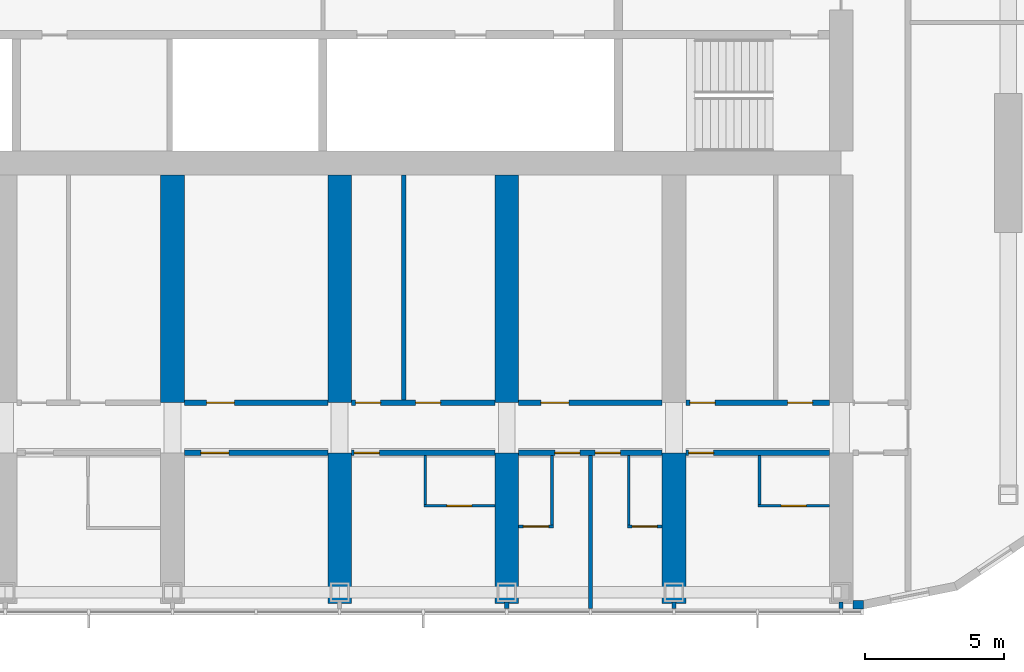
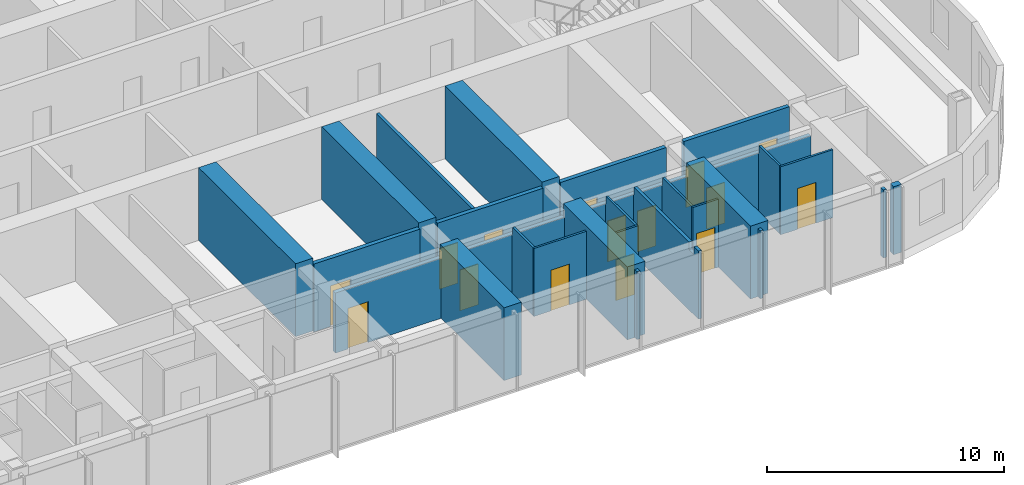
# One storey, part 15 of 28: 28 walls, 15 doors, 15 openings.
"""IFC4 building model written with IfcOpenShell, lengths in metres."""

from ifc_helpers import new_model, si_unit, direction, frame, frame_2d, origin, place, context, subcontext, project, spatial, polyline, rectangle, outline, extrude, material, layer, layer_set, type_object, element, fill, save


model = new_model("IFC4")

# Units and contexts
model_context = context("Model", 3, precision=1e-05, world=origin(), true_north=direction((0.0, 1.0)))
body_context = subcontext(model_context, "Body", "Model", "MODEL_VIEW")
ifc_project = project(units=[si_unit("LENGTHUNIT", "METRE"), si_unit("AREAUNIT", "SQUARE_METRE"), si_unit("VOLUMEUNIT", "CUBIC_METRE"), si_unit("PLANEANGLEUNIT", "RADIAN"), si_unit("MASSUNIT", "GRAM", prefix="KILO")], contexts=[model_context])

# Site, building, storey
site_placement = place(None, origin())
site = spatial("IfcSite", under=ifc_project, at=site_placement, CompositionType="ELEMENT")
building_placement = place(site_placement, origin())
building = spatial("IfcBuilding", under=site, at=building_placement, Name="Orbita Commons", CompositionType="ELEMENT")
storey_placement = place(building_placement, frame((0.0, 0.0, 193.60009765625)))
storey = spatial("IfcBuildingStorey", under=building, at=storey_placement, Name="L48", CompositionType="ELEMENT", Elevation=193.60009765625)

# Wall, opening, door
ifc_material_1 = material(Name="Concrete blockwork", Category="masonry")
ifc_layer_1 = layer(ifc_material_1, 0.199951171875)
ifc_layer_set_1 = layer_set([ifc_layer_1], Name="Concrete blockwork")
wall_type_1 = type_object("IfcWallType", Name="Corridor wall 200 blockwork", PredefinedType="SOLIDWALL", material=ifc_layer_set_1)
wall_1_placement = place(storey_placement, frame((42.425048828125, 15.39990234375, 0.0), z_axis=(0.0, 0.0, 1.0), x_axis=(1.0, 0.0, 0.0)))
wall_1 = element("IfcWall", 1, at=wall_1_placement, inside=storey, type_object=wall_type_1, Name="Corridor wall 200 blockwork L48", PredefinedType="SOLIDWALL", context=body_context, shape_type="SweptSolid", body=[
    extrude(outline(polyline([(0.0, 0.0), (5.14990234375, 0.0), (5.14990234375, 3.099853515625), (0.0, 3.099853515625), (0.0, 0.0)])), frame((0.0, 0.10009765625, 0.0), z_axis=(0.0, -1.0, 0.0), x_axis=(1.0, 0.0, 0.0)), (0.0, 0.0, 1.0), 0.199951171875),
])
opening_1_placement = place(wall_1_placement, frame((0.60009765625, 0.0, 0.0)))
opening_1 = element("IfcOpeningElement", 2, at=opening_1_placement, cuts=wall_1, Name="Opening D06", PredefinedType="OPENING", context=body_context, shape_type="SweptSolid", body=[
    extrude(rectangle(XDim=1.0, YDim=2.10009765625, at=frame_2d((0.5, 1.050048828125))), frame((0.0, 0.10986328125, 0.0), z_axis=(0.0, -1.0, 0.0), x_axis=(1.0, 0.0, 0.0)), (0.0, 0.0, 1.0), 0.219970703125),
])
ifc_material_2 = material(Name="Steel-faced fire door leaf", Category="steel")
door_type_1 = type_object("IfcDoorType", Name="Corridor door 20 min 1000x2100", OperationType="SINGLE_SWING_LEFT", PredefinedType="DOOR", material=ifc_material_2)
door_1_placement = place(opening_1_placement, origin())
door_1 = element("IfcDoor", 3, at=door_1_placement, inside=storey, type_object=door_type_1, Name="Cluster kitchen-diner L48-S08 door", OperationType="SINGLE_SWING_LEFT", OverallHeight=2.10009765625, OverallWidth=1.0, PredefinedType="DOOR", context=body_context, shape_type="SweptSolid", body=[
    extrude(rectangle(XDim=1.0, YDim=2.10009765625, at=frame_2d((0.5, 1.050048828125))), frame((0.0, 0.02490234375, 0.0), z_axis=(0.0, -1.0, 0.0), x_axis=(1.0, 0.0, 0.0)), (0.0, 0.0, 1.0), 0.050048828125),
])
fill(opening_1, door_1)

wall_2_placement = place(storey_placement, frame((48.425048828125, 15.39990234375, 0.0), z_axis=(0.0, 0.0, 1.0), x_axis=(1.0, 0.0, 0.0)))
wall_2 = element("IfcWall", 4, at=wall_2_placement, inside=storey, type_object=wall_type_1, Name="Corridor wall 200 blockwork L48", PredefinedType="SOLIDWALL", context=body_context, shape_type="SweptSolid", body=[
    extrude(outline(polyline([(0.0, 0.0), (5.14990234375, 0.0), (5.14990234375, 3.099853515625), (0.0, 3.099853515625), (0.0, 0.0)])), frame((0.0, 0.10009765625, 0.0), z_axis=(0.0, -1.0, 0.0), x_axis=(1.0, 0.0, 0.0)), (0.0, 0.0, 1.0), 0.199951171875),
])
opening_2_placement = place(wall_2_placement, frame((0.10009765625, 0.0, 0.0)))
opening_2 = element("IfcOpeningElement", 5, at=opening_2_placement, cuts=wall_2, Name="Opening D11", PredefinedType="OPENING", context=body_context, shape_type="SweptSolid", body=[
    extrude(rectangle(XDim=0.89990234375, YDim=2.10009765625, at=frame_2d((0.449951171875, 1.050048828125))), frame((0.0, 0.10986328125, 0.0), z_axis=(0.0, -1.0, 0.0), x_axis=(1.0, 0.0, 0.0)), (0.0, 0.0, 1.0), 0.219970703125),
])
ifc_material_3 = material(Name="Steel-faced fire door leaf", Category="steel")
door_type_2 = type_object("IfcDoorType", Name="Corridor door 20 min 900x2100", OperationType="SINGLE_SWING_LEFT", PredefinedType="DOOR", material=ifc_material_3)
door_2_placement = place(opening_2_placement, origin())
door_2 = element("IfcDoor", 6, at=door_2_placement, inside=storey, type_object=door_type_2, Name="Twin room L48-S10 door", OperationType="SINGLE_SWING_LEFT", OverallHeight=2.10009765625, OverallWidth=0.89990234375, PredefinedType="DOOR", context=body_context, shape_type="SweptSolid", body=[
    extrude(rectangle(XDim=0.89990234375, YDim=2.10009765625, at=frame_2d((0.449951171875, 1.050048828125))), frame((0.0, 0.02490234375, 0.0), z_axis=(0.0, -1.0, 0.0), x_axis=(1.0, 0.0, 0.0)), (0.0, 0.0, 1.0), 0.050048828125),
])
fill(opening_2, door_2)

# Wall, openings, doors
wall_3_placement = place(storey_placement, frame((54.425048828125, 15.39990234375, 0.0), z_axis=(0.0, 0.0, 1.0), x_axis=(1.0, 0.0, 0.0)))
wall_3 = element("IfcWall", 7, at=wall_3_placement, inside=storey, type_object=wall_type_1, Name="Corridor wall 200 blockwork L48", PredefinedType="SOLIDWALL", context=body_context, shape_type="SweptSolid", body=[
    extrude(outline(polyline([(0.0, 0.0), (5.14990234375, 0.0), (5.14990234375, 3.099853515625), (0.0, 3.099853515625), (0.0, 0.0)])), frame((0.0, 0.10009765625, 0.0), z_axis=(0.0, -1.0, 0.0), x_axis=(1.0, 0.0, 0.0)), (0.0, 0.0, 1.0), 0.199951171875),
])
opening_3_placement = place(wall_3_placement, frame((1.300048828125, 0.0, 0.0)))
opening_3 = element("IfcOpeningElement", 8, at=opening_3_placement, cuts=wall_3, Name="Opening D11", PredefinedType="OPENING", context=body_context, shape_type="SweptSolid", body=[
    extrude(rectangle(XDim=0.89990234375, YDim=2.10009765625, at=frame_2d((0.449951171875, 1.050048828125))), frame((0.0, 0.10986328125, 0.0), z_axis=(0.0, -1.0, 0.0), x_axis=(1.0, 0.0, 0.0)), (0.0, 0.0, 1.0), 0.219970703125),
])
opening_4_placement = place(wall_3_placement, frame((2.75, 0.0, 0.0)))
opening_4 = element("IfcOpeningElement", 9, at=opening_4_placement, cuts=wall_3, Name="Opening D11", PredefinedType="OPENING", context=body_context, shape_type="SweptSolid", body=[
    extrude(rectangle(XDim=0.89990234375, YDim=2.10009765625, at=frame_2d((0.449951171875, 1.050048828125))), frame((0.0, 0.10986328125, 0.0), z_axis=(0.0, -1.0, 0.0), x_axis=(1.0, 0.0, 0.0)), (0.0, 0.0, 1.0), 0.219970703125),
])
door_3_placement = place(opening_3_placement, origin())
door_3 = element("IfcDoor", 10, at=door_3_placement, inside=storey, type_object=door_type_2, Name="Cluster bedroom L48-S12 door", OperationType="SINGLE_SWING_LEFT", OverallHeight=2.10009765625, OverallWidth=0.89990234375, PredefinedType="DOOR", context=body_context, shape_type="SweptSolid", body=[
    extrude(rectangle(XDim=0.89990234375, YDim=2.10009765625, at=frame_2d((0.449951171875, 1.050048828125))), frame((0.0, 0.02490234375, 0.0), z_axis=(0.0, -1.0, 0.0), x_axis=(1.0, 0.0, 0.0)), (0.0, 0.0, 1.0), 0.050048828125),
])
fill(opening_3, door_3)
door_4_placement = place(opening_4_placement, origin())
door_4 = element("IfcDoor", 11, at=door_4_placement, inside=storey, type_object=door_type_2, Name="Cluster bedroom L48-S13 door", OperationType="SINGLE_SWING_LEFT", OverallHeight=2.10009765625, OverallWidth=0.89990234375, PredefinedType="DOOR", context=body_context, shape_type="SweptSolid", body=[
    extrude(rectangle(XDim=0.89990234375, YDim=2.10009765625, at=frame_2d((0.449951171875, 1.050048828125))), frame((0.0, 0.02490234375, 0.0), z_axis=(0.0, -1.0, 0.0), x_axis=(1.0, 0.0, 0.0)), (0.0, 0.0, 1.0), 0.050048828125),
])
fill(opening_4, door_4)

# Wall, opening, door
wall_4_placement = place(storey_placement, frame((60.425048828125, 15.39990234375, 0.0), z_axis=(0.0, 0.0, 1.0), x_axis=(1.0, 0.0, 0.0)))
wall_4 = element("IfcWall", 12, at=wall_4_placement, inside=storey, type_object=wall_type_1, Name="Corridor wall 200 blockwork L48", PredefinedType="SOLIDWALL", context=body_context, shape_type="SweptSolid", body=[
    extrude(outline(polyline([(0.0, 0.0), (5.14990234375, 0.0), (5.14990234375, 3.099853515625), (0.0, 3.099853515625), (0.0, 0.0)])), frame((0.0, 0.10009765625, 0.0), z_axis=(0.0, -1.0, 0.0), x_axis=(1.0, 0.0, 0.0)), (0.0, 0.0, 1.0), 0.199951171875),
])
opening_5_placement = place(wall_4_placement, frame((0.10009765625, 0.0, 0.0)))
opening_5 = element("IfcOpeningElement", 13, at=opening_5_placement, cuts=wall_4, Name="Opening D11", PredefinedType="OPENING", context=body_context, shape_type="SweptSolid", body=[
    extrude(rectangle(XDim=0.89990234375, YDim=2.10009765625, at=frame_2d((0.449951171875, 1.050048828125))), frame((0.0, 0.10986328125, 0.0), z_axis=(0.0, -1.0, 0.0), x_axis=(1.0, 0.0, 0.0)), (0.0, 0.0, 1.0), 0.219970703125),
])
door_5_placement = place(opening_5_placement, origin())
door_5 = element("IfcDoor", 14, at=door_5_placement, inside=storey, type_object=door_type_2, Name="Twin room L48-S14 door", OperationType="SINGLE_SWING_LEFT", OverallHeight=2.10009765625, OverallWidth=0.89990234375, PredefinedType="DOOR", context=body_context, shape_type="SweptSolid", body=[
    extrude(rectangle(XDim=0.89990234375, YDim=2.10009765625, at=frame_2d((0.449951171875, 1.050048828125))), frame((0.0, 0.02490234375, 0.0), z_axis=(0.0, -1.0, 0.0), x_axis=(1.0, 0.0, 0.0)), (0.0, 0.0, 1.0), 0.050048828125),
])
fill(opening_5, door_5)

ifc_material_4 = material(Name="Hollow concrete block 200", Category="concrete")
ifc_layer_2 = layer(ifc_material_4, 0.199951171875)
ifc_layer_set_2 = layer_set([ifc_layer_2], Name="Hollow concrete block 200")
wall_type_2 = type_object("IfcWallType", Name="Corridor wall 200 hollow concrete block", PredefinedType="SOLIDWALL", material=ifc_layer_set_2)
wall_5_placement = place(storey_placement, frame((42.425048828125, 17.199951171875, 0.0), z_axis=(0.0, 0.0, 1.0), x_axis=(1.0, 0.0, 0.0)))
wall_5 = element("IfcWall", 15, at=wall_5_placement, inside=storey, type_object=wall_type_2, Name="Corridor wall 200 hollow concrete block L48", PredefinedType="SOLIDWALL", context=body_context, shape_type="SweptSolid", body=[
    extrude(rectangle(XDim=5.14990234375, YDim=0.199951171875, at=frame_2d((2.574951171875, 0.0))), origin(), (0.0, 0.0, 1.0), 3.5),
])
opening_6_placement = place(wall_5_placement, frame((0.800048828125, 0.0, 0.0)))
opening_6 = element("IfcOpeningElement", 16, at=opening_6_placement, cuts=wall_5, Name="Opening D06", PredefinedType="OPENING", context=body_context, shape_type="SweptSolid", body=[
    extrude(rectangle(XDim=1.0, YDim=2.10009765625, at=frame_2d((0.5, 1.050048828125))), frame((0.0, 0.10986328125, 0.0), z_axis=(0.0, -1.0, 0.0), x_axis=(1.0, 0.0, 0.0)), (0.0, 0.0, 1.0), 0.219970703125),
])
door_6_placement = place(opening_6_placement, origin())
door_6 = element("IfcDoor", 17, at=door_6_placement, inside=storey, type_object=door_type_1, Name="Refuse and recycling room L48-BDS42 door", OperationType="SINGLE_SWING_LEFT", OverallHeight=2.10009765625, OverallWidth=1.0, PredefinedType="DOOR", context=body_context, shape_type="SweptSolid", body=[
    extrude(rectangle(XDim=1.0, YDim=2.10009765625, at=frame_2d((0.5, 1.050048828125))), frame((0.0, 0.02490234375, 0.0), z_axis=(0.0, -1.0, 0.0), x_axis=(1.0, 0.0, 0.0)), (0.0, 0.0, 1.0), 0.050048828125),
])
fill(opening_6, door_6)

# Wall, openings, doors
wall_6_placement = place(storey_placement, frame((48.425048828125, 17.199951171875, 0.0), z_axis=(0.0, 0.0, 1.0), x_axis=(1.0, 0.0, 0.0)))
wall_6 = element("IfcWall", 18, at=wall_6_placement, inside=storey, type_object=wall_type_2, Name="Corridor wall 200 hollow concrete block L48", PredefinedType="SOLIDWALL", context=body_context, shape_type="SweptSolid", body=[
    extrude(rectangle(XDim=5.14990234375, YDim=0.199951171875, at=frame_2d((2.574951171875, 0.0))), origin(), (0.0, 0.0, 1.0), 3.5),
])
opening_7_placement = place(wall_6_placement, frame((0.14990234375, 0.0, 0.0)))
opening_7 = element("IfcOpeningElement", 19, at=opening_7_placement, cuts=wall_6, Name="Opening D11", PredefinedType="OPENING", context=body_context, shape_type="SweptSolid", body=[
    extrude(rectangle(XDim=0.89990234375, YDim=2.10009765625, at=frame_2d((0.449951171875, 1.050048828125))), frame((0.0, 0.10986328125, 0.0), z_axis=(0.0, -1.0, 0.0), x_axis=(1.0, 0.0, 0.0)), (0.0, 0.0, 1.0), 0.219970703125),
])
opening_8_placement = place(wall_6_placement, frame((2.304931640625, 0.0, 0.0)))
opening_8 = element("IfcOpeningElement", 20, at=opening_8_placement, cuts=wall_6, Name="Opening D11", PredefinedType="OPENING", context=body_context, shape_type="SweptSolid", body=[
    extrude(rectangle(XDim=0.89990234375, YDim=2.10009765625, at=frame_2d((0.449951171875, 1.050048828125))), frame((0.0, 0.10986328125, 0.0), z_axis=(0.0, -1.0, 0.0), x_axis=(1.0, 0.0, 0.0)), (0.0, 0.0, 1.0), 0.219970703125),
])
door_7_placement = place(opening_7_placement, origin())
door_7 = element("IfcDoor", 21, at=door_7_placement, inside=storey, type_object=door_type_2, Name="Water heater cupboard L48-BDS48n door", OperationType="SINGLE_SWING_LEFT", OverallHeight=2.10009765625, OverallWidth=0.89990234375, PredefinedType="DOOR", context=body_context, shape_type="SweptSolid", body=[
    extrude(rectangle(XDim=0.89990234375, YDim=2.10009765625, at=frame_2d((0.449951171875, 1.050048828125))), frame((0.0, 0.02490234375, 0.0), z_axis=(0.0, -1.0, 0.0), x_axis=(1.0, 0.0, 0.0)), (0.0, 0.0, 1.0), 0.050048828125),
])
fill(opening_7, door_7)
door_8_placement = place(opening_8_placement, origin())
door_8 = element("IfcDoor", 22, at=door_8_placement, inside=storey, type_object=door_type_2, Name="Group meeting room L48-BDS48 door", OperationType="SINGLE_SWING_LEFT", OverallHeight=2.10009765625, OverallWidth=0.89990234375, PredefinedType="DOOR", context=body_context, shape_type="SweptSolid", body=[
    extrude(rectangle(XDim=0.89990234375, YDim=2.10009765625, at=frame_2d((0.449951171875, 1.050048828125))), frame((0.0, 0.02490234375, 0.0), z_axis=(0.0, -1.0, 0.0), x_axis=(1.0, 0.0, 0.0)), (0.0, 0.0, 1.0), 0.050048828125),
])
fill(opening_8, door_8)

# Wall, opening, door
wall_7_placement = place(storey_placement, frame((54.425048828125, 17.199951171875, 0.0), z_axis=(0.0, 0.0, 1.0), x_axis=(1.0, 0.0, 0.0)))
wall_7 = element("IfcWall", 23, at=wall_7_placement, inside=storey, type_object=wall_type_2, Name="Corridor wall 200 hollow concrete block L48", PredefinedType="SOLIDWALL", context=body_context, shape_type="SweptSolid", body=[
    extrude(rectangle(XDim=5.14990234375, YDim=0.199951171875, at=frame_2d((2.574951171875, 0.0))), origin(), (0.0, 0.0, 1.0), 3.5),
])
opening_9_placement = place(wall_7_placement, frame((0.800048828125, 0.0, 0.0)))
opening_9 = element("IfcOpeningElement", 24, at=opening_9_placement, cuts=wall_7, Name="Opening D06", PredefinedType="OPENING", context=body_context, shape_type="SweptSolid", body=[
    extrude(rectangle(XDim=1.0, YDim=2.10009765625, at=frame_2d((0.5, 1.050048828125))), frame((0.0, 0.10986328125, 0.0), z_axis=(0.0, -1.0, 0.0), x_axis=(1.0, 0.0, 0.0)), (0.0, 0.0, 1.0), 0.219970703125),
])
door_9_placement = place(opening_9_placement, origin())
door_9 = element("IfcDoor", 25, at=door_9_placement, inside=storey, type_object=door_type_1, Name="Cleaners store L48-BDS54 door", OperationType="SINGLE_SWING_LEFT", OverallHeight=2.10009765625, OverallWidth=1.0, PredefinedType="DOOR", context=body_context, shape_type="SweptSolid", body=[
    extrude(rectangle(XDim=1.0, YDim=2.10009765625, at=frame_2d((0.5, 1.050048828125))), frame((0.0, 0.02490234375, 0.0), z_axis=(0.0, -1.0, 0.0), x_axis=(1.0, 0.0, 0.0)), (0.0, 0.0, 1.0), 0.050048828125),
])
fill(opening_9, door_9)

# Wall, openings, doors
wall_8_placement = place(storey_placement, frame((60.425048828125, 17.199951171875, 0.0), z_axis=(0.0, 0.0, 1.0), x_axis=(1.0, 0.0, 0.0)))
wall_8 = element("IfcWall", 26, at=wall_8_placement, inside=storey, type_object=wall_type_2, Name="Corridor wall 200 hollow concrete block L48", PredefinedType="SOLIDWALL", context=body_context, shape_type="SweptSolid", body=[
    extrude(rectangle(XDim=5.14990234375, YDim=0.199951171875, at=frame_2d((2.574951171875, 0.0))), origin(), (0.0, 0.0, 1.0), 3.5),
])
opening_10_placement = place(wall_8_placement, frame((0.14990234375, 0.0, 0.0)))
opening_10 = element("IfcOpeningElement", 27, at=opening_10_placement, cuts=wall_8, Name="Opening D11", PredefinedType="OPENING", context=body_context, shape_type="SweptSolid", body=[
    extrude(rectangle(XDim=0.89990234375, YDim=2.10009765625, at=frame_2d((0.449951171875, 1.050048828125))), frame((0.0, 0.10986328125, 0.0), z_axis=(0.0, -1.0, 0.0), x_axis=(1.0, 0.0, 0.0)), (0.0, 0.0, 1.0), 0.219970703125),
])
opening_11_placement = place(wall_8_placement, frame((3.655029296875, 0.0, 0.0)))
opening_11 = element("IfcOpeningElement", 28, at=opening_11_placement, cuts=wall_8, Name="Opening D11", PredefinedType="OPENING", context=body_context, shape_type="SweptSolid", body=[
    extrude(rectangle(XDim=0.89990234375, YDim=2.10009765625, at=frame_2d((0.449951171875, 1.050048828125))), frame((0.0, 0.10986328125, 0.0), z_axis=(0.0, -1.0, 0.0), x_axis=(1.0, 0.0, 0.0)), (0.0, 0.0, 1.0), 0.219970703125),
])
door_10_placement = place(opening_10_placement, origin())
door_10 = element("IfcDoor", 29, at=door_10_placement, inside=storey, type_object=door_type_2, Name="Electrical and data room L48-BDS60 door", OperationType="SINGLE_SWING_LEFT", OverallHeight=2.10009765625, OverallWidth=0.89990234375, PredefinedType="DOOR", context=body_context, shape_type="SweptSolid", body=[
    extrude(rectangle(XDim=0.89990234375, YDim=2.10009765625, at=frame_2d((0.449951171875, 1.050048828125))), frame((0.0, 0.02490234375, 0.0), z_axis=(0.0, -1.0, 0.0), x_axis=(1.0, 0.0, 0.0)), (0.0, 0.0, 1.0), 0.050048828125),
])
fill(opening_10, door_10)
door_11_placement = place(opening_11_placement, origin())
door_11 = element("IfcDoor", 30, at=door_11_placement, inside=storey, type_object=door_type_2, Name="Equipment store L48-BDS60n door", OperationType="SINGLE_SWING_LEFT", OverallHeight=2.10009765625, OverallWidth=0.89990234375, PredefinedType="DOOR", context=body_context, shape_type="SweptSolid", body=[
    extrude(rectangle(XDim=0.89990234375, YDim=2.10009765625, at=frame_2d((0.449951171875, 1.050048828125))), frame((0.0, 0.02490234375, 0.0), z_axis=(0.0, -1.0, 0.0), x_axis=(1.0, 0.0, 0.0)), (0.0, 0.0, 1.0), 0.050048828125),
])
fill(opening_11, door_11)

# Walls
ifc_material_5 = material(Name="Concrete C50/60", Category="concrete")
ifc_layer_3 = layer(ifc_material_5, 0.85009765625)
ifc_layer_set_3 = layer_set([ifc_layer_3], Name="Concrete C50/60")
wall_type_3 = type_object("IfcWallType", Name="Cross wall 850 C50/60", PredefinedType="SHEAR", material=ifc_layer_set_3)
wall_9_placement = place(storey_placement, frame((42.0, 17.199951171875, 0.0), z_axis=(0.0, 0.0, 1.0), x_axis=(0.0, 1.0, 0.0)))
element("IfcWall", 31, at=wall_9_placement, inside=storey, type_object=wall_type_3, Name="Cross wall 8 south inner L48", PredefinedType="SHEAR", context=body_context, shape_type="SweptSolid", body=[
    extrude(rectangle(XDim=8.175048828125, YDim=0.85009765625, at=frame_2d((4.08740234375, 0.0))), origin(), (0.0, 0.0, 1.0), 3.75),
])
wall_10_placement = place(storey_placement, frame((48.0, 10.0, 0.0), z_axis=(0.0, 0.0, 1.0), x_axis=(0.0, 1.0, 0.0)))
element("IfcWall", 32, at=wall_10_placement, inside=storey, type_object=wall_type_3, Name="Cross wall 9 south outer L48", PredefinedType="SHEAR", context=body_context, shape_type="SweptSolid", body=[
    extrude(rectangle(XDim=5.39990234375, YDim=0.85009765625, at=frame_2d((2.699951171875, 0.0))), origin(), (0.0, 0.0, 1.0), 3.75),
])
wall_11_placement = place(storey_placement, frame((48.0, 17.199951171875, 0.0), z_axis=(0.0, 0.0, 1.0), x_axis=(0.0, 1.0, 0.0)))
element("IfcWall", 33, at=wall_11_placement, inside=storey, type_object=wall_type_3, Name="Cross wall 9 south inner L48", PredefinedType="SHEAR", context=body_context, shape_type="SweptSolid", body=[
    extrude(rectangle(XDim=8.175048828125, YDim=0.85009765625, at=frame_2d((4.08740234375, 0.0))), origin(), (0.0, 0.0, 1.0), 3.75),
])
wall_12_placement = place(storey_placement, frame((54.0, 10.0, 0.0), z_axis=(0.0, 0.0, 1.0), x_axis=(0.0, 1.0, 0.0)))
element("IfcWall", 34, at=wall_12_placement, inside=storey, type_object=wall_type_3, Name="Cross wall 10 south outer L48", PredefinedType="SHEAR", context=body_context, shape_type="SweptSolid", body=[
    extrude(rectangle(XDim=5.39990234375, YDim=0.85009765625, at=frame_2d((2.699951171875, 0.0))), origin(), (0.0, 0.0, 1.0), 3.75),
])
wall_13_placement = place(storey_placement, frame((54.0, 17.199951171875, 0.0), z_axis=(0.0, 0.0, 1.0), x_axis=(0.0, 1.0, 0.0)))
element("IfcWall", 35, at=wall_13_placement, inside=storey, type_object=wall_type_3, Name="Cross wall 10 south inner L48", PredefinedType="SHEAR", context=body_context, shape_type="SweptSolid", body=[
    extrude(rectangle(XDim=8.175048828125, YDim=0.85009765625, at=frame_2d((4.08740234375, 0.0))), origin(), (0.0, 0.0, 1.0), 3.75),
])
wall_14_placement = place(storey_placement, frame((60.0, 10.0, 0.0), z_axis=(0.0, 0.0, 1.0), x_axis=(0.0, 1.0, 0.0)))
element("IfcWall", 36, at=wall_14_placement, inside=storey, type_object=wall_type_3, Name="Cross wall 11 south outer L48", PredefinedType="SHEAR", context=body_context, shape_type="SweptSolid", body=[
    extrude(rectangle(XDim=5.39990234375, YDim=0.85009765625, at=frame_2d((2.699951171875, 0.0))), origin(), (0.0, 0.0, 1.0), 3.75),
])

# Wall, opening, door
ifc_material_6 = material(Name="Moisture-resistant plasterboard on steel studs", Category="steel")
ifc_layer_4 = layer(ifc_material_6, 0.10009765625)
ifc_layer_set_4 = layer_set([ifc_layer_4], Name="Moisture-resistant plasterboard on steel studs")
wall_type_4 = type_object("IfcWallType", Name="En-suite partition 100", PredefinedType="PARTITIONING", material=ifc_layer_set_4)
wall_15_placement = place(storey_placement, frame((53.574951171875, 13.5, 0.0), z_axis=(0.0, 0.0, 1.0), x_axis=(-1.0, 0.0, 0.0)))
wall_15 = element("IfcWall", 37, at=wall_15_placement, inside=storey, type_object=wall_type_4, Name="En-suite partition 100 L48", PredefinedType="PARTITIONING", context=body_context, shape_type="SweptSolid", body=[
    extrude(rectangle(XDim=2.550048828125, YDim=0.10009765625, at=frame_2d((1.27490234375, 0.0))), origin(), (0.0, 0.0, 1.0), 3.5),
])
opening_12_placement = place(wall_15_placement, frame((0.824951171875, 0.0, 0.0)))
opening_12 = element("IfcOpeningElement", 38, at=opening_12_placement, cuts=wall_15, Name="Opening D09", PredefinedType="OPENING", context=body_context, shape_type="SweptSolid", body=[
    extrude(rectangle(XDim=0.89990234375, YDim=2.10009765625, at=frame_2d((0.449951171875, 1.050048828125))), frame((0.0, 0.06005859375, 0.0), z_axis=(0.0, -1.0, 0.0), x_axis=(1.0, 0.0, 0.0)), (0.0, 0.0, 1.0), 0.1201171875),
])
ifc_material_7 = material(Name="Laminated timber door leaf", Category="wood")
door_type_3 = type_object("IfcDoorType", Name="En-suite door 900x2100", OperationType="SINGLE_SWING_RIGHT", PredefinedType="DOOR", material=ifc_material_7)
door_12_placement = place(opening_12_placement, origin())
door_12 = element("IfcDoor", 39, at=door_12_placement, inside=storey, type_object=door_type_3, Name="En-suite L48-S10 door", OperationType="SINGLE_SWING_RIGHT", OverallHeight=2.10009765625, OverallWidth=0.89990234375, PredefinedType="DOOR", context=body_context, shape_type="SweptSolid", body=[
    extrude(rectangle(XDim=0.89990234375, YDim=2.10009765625, at=frame_2d((0.449951171875, 1.050048828125))), frame((0.0, 0.02490234375, 0.0), z_axis=(0.0, -1.0, 0.0), x_axis=(1.0, 0.0, 0.0)), (0.0, 0.0, 1.0), 0.050048828125),
])
fill(opening_12, door_12)

# Wall
wall_16_placement = place(storey_placement, frame((51.074951171875, 13.550048828125, 0.0), z_axis=(0.0, 0.0, 1.0), x_axis=(0.0, 1.0, 0.0)))
element("IfcWall", 40, at=wall_16_placement, inside=storey, type_object=wall_type_4, Name="En-suite partition 100 L48", PredefinedType="PARTITIONING", context=body_context, shape_type="SweptSolid", body=[
    extrude(outline(polyline([(0.0, 0.0), (1.75, 0.0), (1.75, 3.099853515625), (1.701904296875, 3.099853515625), (1.699951171875, 3.5), (0.0, 3.5), (0.0, 0.0)])), frame((0.0, 0.050048828125, 0.0), z_axis=(0.0, -1.0, 0.0), x_axis=(1.0, 0.0, 0.0)), (0.0, 0.0, 1.0), 0.10009765625),
])

# Wall, opening, door
wall_17_placement = place(storey_placement, frame((55.675048828125, 12.75830078125, 0.0), z_axis=(0.0, 0.0, 1.0), x_axis=(-1.0, 0.0, 0.0)))
wall_17 = element("IfcWall", 41, at=wall_17_placement, inside=storey, type_object=wall_type_4, Name="En-suite partition 100 L48", PredefinedType="PARTITIONING", context=body_context, shape_type="SweptSolid", body=[
    extrude(rectangle(XDim=1.25, YDim=0.10009765625, at=frame_2d((0.625, 0.0))), origin(), (0.0, 0.0, 1.0), 3.5),
])
opening_13_placement = place(wall_17_placement, frame((0.175048828125, 0.0, 0.0)))
opening_13 = element("IfcOpeningElement", 42, at=opening_13_placement, cuts=wall_17, Name="Opening D09", PredefinedType="OPENING", context=body_context, shape_type="SweptSolid", body=[
    extrude(rectangle(XDim=0.89990234375, YDim=2.10009765625, at=frame_2d((0.449951171875, 1.050048828125))), frame((0.0, 0.06005859375, 0.0), z_axis=(0.0, -1.0, 0.0), x_axis=(1.0, 0.0, 0.0)), (0.0, 0.0, 1.0), 0.1201171875),
])
door_13_placement = place(opening_13_placement, origin())
door_13 = element("IfcDoor", 43, at=door_13_placement, inside=storey, type_object=door_type_3, Name="En-suite L48-S12 door", OperationType="SINGLE_SWING_RIGHT", OverallHeight=2.10009765625, OverallWidth=0.89990234375, PredefinedType="DOOR", context=body_context, shape_type="SweptSolid", body=[
    extrude(rectangle(XDim=0.89990234375, YDim=2.10009765625, at=frame_2d((0.449951171875, 1.050048828125))), frame((0.0, 0.02490234375, 0.0), z_axis=(0.0, -1.0, 0.0), x_axis=(1.0, 0.0, 0.0)), (0.0, 0.0, 1.0), 0.050048828125),
])
fill(opening_13, door_13)

# Wall
wall_18_placement = place(storey_placement, frame((55.625, 12.808349609375, 0.0), z_axis=(0.0, 0.0, 1.0), x_axis=(0.0, 1.0, 0.0)))
element("IfcWall", 44, at=wall_18_placement, inside=storey, type_object=wall_type_4, Name="En-suite partition 100 L48", PredefinedType="PARTITIONING", context=body_context, shape_type="SweptSolid", body=[
    extrude(outline(polyline([(0.0, 0.0), (2.49169921875, 0.0), (2.49169921875, 3.099853515625), (2.443603515625, 3.099853515625), (2.441650390625, 3.5), (0.0, 3.5), (0.0, 0.0)])), frame((0.0, 0.050048828125, 0.0), z_axis=(0.0, -1.0, 0.0), x_axis=(1.0, 0.0, 0.0)), (0.0, 0.0, 1.0), 0.10009765625),
])

# Wall, opening, door
wall_19_placement = place(storey_placement, frame((59.574951171875, 12.75830078125, 0.0), z_axis=(0.0, 0.0, 1.0), x_axis=(-1.0, 0.0, 0.0)))
wall_19 = element("IfcWall", 45, at=wall_19_placement, inside=storey, type_object=wall_type_4, Name="En-suite partition 100 L48", PredefinedType="PARTITIONING", context=body_context, shape_type="SweptSolid", body=[
    extrude(rectangle(XDim=1.25, YDim=0.10009765625, at=frame_2d((0.625, 0.0))), origin(), (0.0, 0.0, 1.0), 3.5),
])
opening_14_placement = place(wall_19_placement, frame((0.175048828125, 0.0, 0.0)))
opening_14 = element("IfcOpeningElement", 46, at=opening_14_placement, cuts=wall_19, Name="Opening D09", PredefinedType="OPENING", context=body_context, shape_type="SweptSolid", body=[
    extrude(rectangle(XDim=0.89990234375, YDim=2.10009765625, at=frame_2d((0.449951171875, 1.050048828125))), frame((0.0, 0.06005859375, 0.0), z_axis=(0.0, -1.0, 0.0), x_axis=(1.0, 0.0, 0.0)), (0.0, 0.0, 1.0), 0.1201171875),
])
door_14_placement = place(opening_14_placement, origin())
door_14 = element("IfcDoor", 47, at=door_14_placement, inside=storey, type_object=door_type_3, Name="En-suite L48-S13 door", OperationType="SINGLE_SWING_RIGHT", OverallHeight=2.10009765625, OverallWidth=0.89990234375, PredefinedType="DOOR", context=body_context, shape_type="SweptSolid", body=[
    extrude(rectangle(XDim=0.89990234375, YDim=2.10009765625, at=frame_2d((0.449951171875, 1.050048828125))), frame((0.0, 0.02490234375, 0.0), z_axis=(0.0, -1.0, 0.0), x_axis=(1.0, 0.0, 0.0)), (0.0, 0.0, 1.0), 0.050048828125),
])
fill(opening_14, door_14)

# Wall
wall_20_placement = place(storey_placement, frame((58.375, 12.808349609375, 0.0), z_axis=(0.0, 0.0, 1.0), x_axis=(0.0, 1.0, 0.0)))
element("IfcWall", 48, at=wall_20_placement, inside=storey, type_object=wall_type_4, Name="En-suite partition 100 L48", PredefinedType="PARTITIONING", context=body_context, shape_type="SweptSolid", body=[
    extrude(outline(polyline([(0.0, 0.0), (2.49169921875, 0.0), (2.49169921875, 3.099853515625), (2.443603515625, 3.099853515625), (2.441650390625, 3.5), (0.0, 3.5), (0.0, 0.0)])), frame((0.0, 0.050048828125, 0.0), z_axis=(0.0, -1.0, 0.0), x_axis=(1.0, 0.0, 0.0)), (0.0, 0.0, 1.0), 0.10009765625),
])

# Wall, opening, door
wall_21_placement = place(storey_placement, frame((65.574951171875, 13.5, 0.0), z_axis=(0.0, 0.0, 1.0), x_axis=(-1.0, 0.0, 0.0)))
wall_21 = element("IfcWall", 49, at=wall_21_placement, inside=storey, type_object=wall_type_4, Name="En-suite partition 100 L48", PredefinedType="PARTITIONING", context=body_context, shape_type="SweptSolid", body=[
    extrude(rectangle(XDim=2.550048828125, YDim=0.10009765625, at=frame_2d((1.27490234375, 0.0))), origin(), (0.0, 0.0, 1.0), 3.5),
])
opening_15_placement = place(wall_21_placement, frame((0.824951171875, 0.0, 0.0)))
opening_15 = element("IfcOpeningElement", 50, at=opening_15_placement, cuts=wall_21, Name="Opening D09", PredefinedType="OPENING", context=body_context, shape_type="SweptSolid", body=[
    extrude(rectangle(XDim=0.89990234375, YDim=2.10009765625, at=frame_2d((0.449951171875, 1.050048828125))), frame((0.0, 0.06005859375, 0.0), z_axis=(0.0, -1.0, 0.0), x_axis=(1.0, 0.0, 0.0)), (0.0, 0.0, 1.0), 0.1201171875),
])
door_15_placement = place(opening_15_placement, origin())
door_15 = element("IfcDoor", 51, at=door_15_placement, inside=storey, type_object=door_type_3, Name="En-suite L48-S14 door", OperationType="SINGLE_SWING_RIGHT", OverallHeight=2.10009765625, OverallWidth=0.89990234375, PredefinedType="DOOR", context=body_context, shape_type="SweptSolid", body=[
    extrude(rectangle(XDim=0.89990234375, YDim=2.10009765625, at=frame_2d((0.449951171875, 1.050048828125))), frame((0.0, 0.02490234375, 0.0), z_axis=(0.0, -1.0, 0.0), x_axis=(1.0, 0.0, 0.0)), (0.0, 0.0, 1.0), 0.050048828125),
])
fill(opening_15, door_15)

# Walls
wall_22_placement = place(storey_placement, frame((63.074951171875, 13.550048828125, 0.0), z_axis=(0.0, 0.0, 1.0), x_axis=(0.0, 1.0, 0.0)))
element("IfcWall", 52, at=wall_22_placement, inside=storey, type_object=wall_type_4, Name="En-suite partition 100 L48", PredefinedType="PARTITIONING", context=body_context, shape_type="SweptSolid", body=[
    extrude(outline(polyline([(0.0, 0.0), (1.75, 0.0), (1.75, 3.099853515625), (1.701904296875, 3.099853515625), (1.699951171875, 3.5), (0.0, 3.5), (0.0, 0.0)])), frame((0.0, 0.050048828125, 0.0), z_axis=(0.0, -1.0, 0.0), x_axis=(1.0, 0.0, 0.0)), (0.0, 0.0, 1.0), 0.10009765625),
])
ifc_material_8 = material(Name="Gypsum plasterboard on steel studs", Category="steel")
ifc_layer_5 = layer(ifc_material_8, 0.14990234375)
ifc_layer_set_5 = layer_set([ifc_layer_5], Name="Gypsum plasterboard on steel studs")
wall_type_5 = type_object("IfcWallType", Name="Partition 150 plasterboard", PredefinedType="PARTITIONING", material=ifc_layer_set_5)
wall_23_placement = place(storey_placement, frame((50.304931640625, 17.300048828125, 0.0), z_axis=(0.0, 0.0, 1.0), x_axis=(0.0, 1.0, 0.0)))
element("IfcWall", 53, at=wall_23_placement, inside=storey, type_object=wall_type_5, Name="Partition 150 plasterboard L48", PredefinedType="PARTITIONING", context=body_context, shape_type="SweptSolid", body=[
    extrude(rectangle(XDim=8.074951171875, YDim=0.14990234375, at=frame_2d((4.03759765625, 0.0))), origin(), (0.0, 0.0, 1.0), 3.5),
])
for number, where, z_axis, x_axis, name in (
    (54, (54.0, 10.050048828125, 0.0), (0.0, 0.0, 1.0), (0.0, -1.0, 0.0), "Partition 150 plasterboard L48"),
    (55, (60.0, 10.050048828125, 0.0), (0.0, 0.0, 1.0), (0.0, -1.0, 0.0), "Partition 150 plasterboard L48"),
    (56, (66.0, 10.050048828125, 0.0), (0.0, 0.0, 1.0), (0.0, -1.0, 0.0), "Partition 150 plasterboard L48"),
):
    element("IfcWall", number, at=place(storey_placement, frame(where, z_axis=z_axis, x_axis=x_axis)), inside=storey, type_object=wall_type_5, Name=name, PredefinedType="PARTITIONING", context=body_context, shape_type="SweptSolid", body=[
        extrude(rectangle(XDim=0.239990234375, YDim=0.14990234375, at=frame_2d((0.1201171875, 0.0))), origin(), (0.0, 0.0, 1.0), 3.5),
    ])
ifc_material_9 = material(Name="Gypsum plasterboard on steel studs", Category="steel")
ifc_layer_6 = layer(ifc_material_9, 0.14990234375)
ifc_layer_set_6 = layer_set([ifc_layer_6], Name="Gypsum plasterboard on steel studs")
wall_type_6 = type_object("IfcWallType", Name="Party wall 150 plasterboard", PredefinedType="PARTITIONING", material=ifc_layer_set_6)
wall_24_placement = place(storey_placement, frame((57.0, 9.81005859375, 0.0), z_axis=(0.0, 0.0, 1.0), x_axis=(0.0, 1.0, 0.0)))
element("IfcWall", 57, at=wall_24_placement, inside=storey, type_object=wall_type_6, Name="Party wall 150 plasterboard L48", PredefinedType="PARTITIONING", context=body_context, shape_type="SweptSolid", body=[
    extrude(outline(polyline([(0.0, 0.0), (5.489990234375, 0.0), (5.489990234375, 3.099853515625), (5.44189453125, 3.099853515625), (5.43994140625, 3.5), (0.7919921875, 3.5), (0.7900390625, 3.099853515625), (0.39208984375, 3.099853515625), (0.389892578125, 3.5), (0.0, 3.5), (0.0, 0.0)])), frame((0.0, 0.074951171875, 0.0), z_axis=(0.0, -1.0, 0.0), x_axis=(1.0, 0.0, 0.0)), (0.0, 0.0, 1.0), 0.14990234375),
])
ifc_material_10 = material(Name="Precast concrete C40/50, white board-marked finish", Category="concrete")
ifc_layer_7 = layer(ifc_material_10, 0.300048828125)
ifc_layer_set_7 = layer_set([ifc_layer_7], Name="Precast concrete C40/50, white board-marked finish")
wall_type_7 = type_object("IfcWallType", Name="Precast concrete end shield 300", PredefinedType="SOLIDWALL", material=ifc_layer_set_7)
wall_25_placement = place(storey_placement, frame((66.800048828125, 9.949951171875, 0.0), z_axis=(0.0, 0.0, 1.0), x_axis=(-1.0, 0.0, 0.0)))
element("IfcWall", 58, at=wall_25_placement, inside=storey, type_object=wall_type_7, Name="End shield SE closer L48", PredefinedType="SOLIDWALL", context=body_context, shape_type="SweptSolid", body=[
    extrude(rectangle(XDim=0.375, YDim=0.300048828125, at=frame_2d((0.1875, 0.0))), origin(), (0.0, 0.0, 1.0), 3.5),
])

save(model, "model.ifc")
